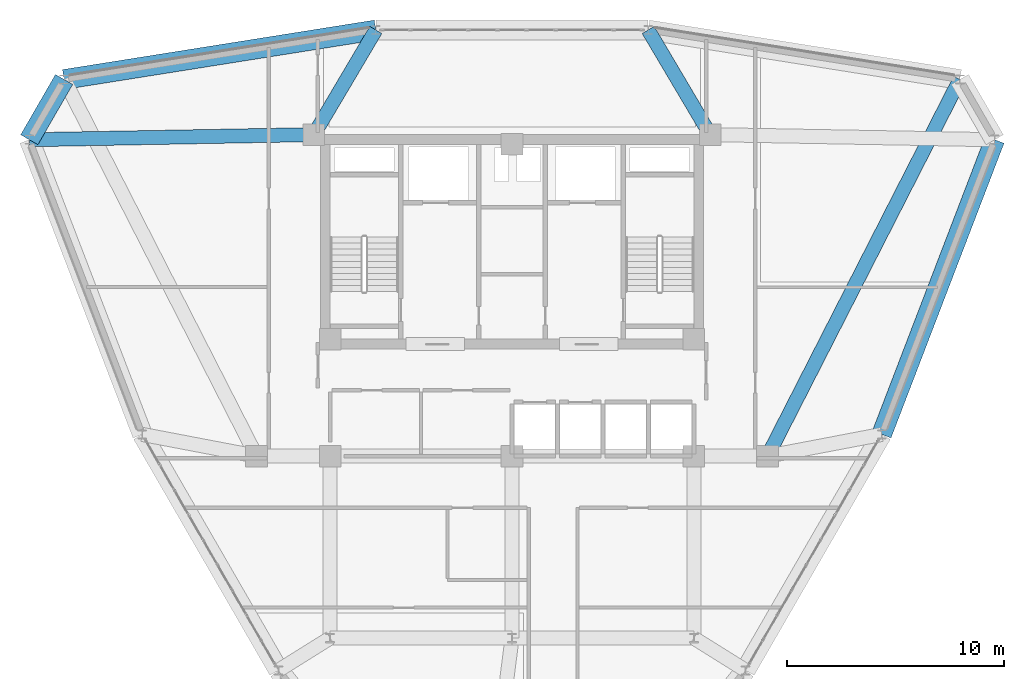
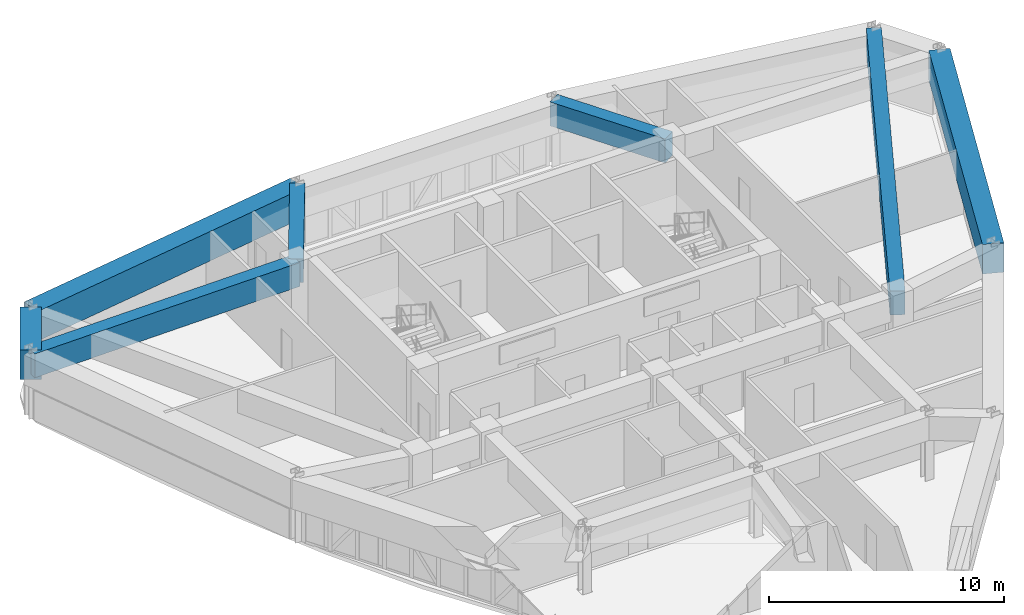
# One storey, part 7 of 13: 7 beams.
"""IFC4 building model written with IfcOpenShell, lengths in metres."""

import ifcopenshell
import ifcopenshell.guid

model = None  # the IFC model being written
_history = None  # IfcOwnerHistory: only IFC2X3 demands one
_inside = {}  # id of a spatial element -> (the spatial element, [elements in it])
_under = {}  # id of a project, library or spatial element -> (it, [spatial elements below it])
_declared = {}  # id of a project -> (the project, [libraries it declares])
_typed = {}  # id of a type object -> (the type object, [elements of that type])
_made_of = {}  # id of a material, layer set ... -> (it, [elements and type objects made of it])


def new_model(schema):
    """Start an empty IFC model of exactly this schema.

    Asked for "IFC4X3", IfcOpenShell would pick the latest addendum, in which some entities
    have other attributes; the version numbers below select the first issue.
    IFC2X3 requires an IfcOwnerHistory on every rooted entity: one is made here for all.
    """
    global model, _history
    if schema == "IFC4X3":
        model = ifcopenshell.file(schema_version=(4, 3, 0, 0))
    else:
        model = ifcopenshell.file(schema=schema)
    _inside.clear()
    _under.clear()
    _declared.clear()
    _typed.clear()
    _made_of.clear()
    _history = None
    if model.schema == "IFC2X3":
        org = make("IfcOrganization", Name="unknown")
        user = make(
            "IfcPersonAndOrganization",
            ThePerson=make("IfcPerson", FamilyName="unknown"),
            TheOrganization=org,
        )
        app = make(
            "IfcApplication",
            ApplicationDeveloper=org,
            Version="unknown",
            ApplicationFullName="unknown",
            ApplicationIdentifier="unknown",
        )
        _history = make(
            "IfcOwnerHistory",
            OwningUser=user,
            OwningApplication=app,
            ChangeAction="ADDED",
            CreationDate=0,
        )
    return model


def make(cls, **values):
    """One entity of the class cls with the attributes given. An attribute that is None is left unset."""
    return model.create_entity(
        cls, **{name: value for name, value in values.items() if value is not None}
    )


def rooted(cls, **values):
    """An entity with a GlobalId (a new one), such as an element, a storey or a relation."""
    return make(cls, GlobalId=ifcopenshell.guid.new(), OwnerHistory=_history, **values)


def si_unit(unit_type, name, prefix=None):
    """IfcSIUnit, for example si_unit("LENGTHUNIT", "METRE", prefix="MILLI")."""
    return make("IfcSIUnit", UnitType=unit_type, Prefix=prefix, Name=name)


def derived_unit(unit_type, elements):
    """IfcDerivedUnit: a product of units, each with its exponent."""
    return make(
        "IfcDerivedUnit",
        Elements=[
            make("IfcDerivedUnitElement", Unit=unit, Exponent=power)
            for unit, power in elements
        ],
        UnitType=unit_type,
    )


def assignment(units):
    """IfcUnitAssignment: the units of a project."""
    return None if units is None else make("IfcUnitAssignment", Units=units)


def point(xyz):
    """IfcCartesianPoint."""
    return None if xyz is None else make("IfcCartesianPoint", Coordinates=xyz)


def direction(xyz):
    """IfcDirection."""
    return None if xyz is None else make("IfcDirection", DirectionRatios=xyz)


def frame(location, z_axis=None, x_axis=None):
    """IfcAxis2Placement3D, a coordinate frame: its origin and axes. An axis left out is left unset."""
    return make(
        "IfcAxis2Placement3D",
        Location=point(location),
        Axis=direction(z_axis),
        RefDirection=direction(x_axis),
    )


def frame_2d(location, x_axis=None):
    """IfcAxis2Placement2D, a coordinate frame in the plane: its origin and x axis."""
    return make(
        "IfcAxis2Placement2D", Location=point(location), RefDirection=direction(x_axis)
    )


def origin():
    """The frame at (0, 0, 0) with its axes left unset."""
    return frame((0.0, 0.0, 0.0))


def origin_2d():
    """The frame at (0, 0) in the plane with its x axis left unset."""
    return frame_2d((0.0, 0.0))


def place(relative_to, where):
    """IfcLocalPlacement: puts the frame where relative to a parent placement (None: the world)."""
    return make(
        "IfcLocalPlacement", PlacementRelTo=relative_to, RelativePlacement=where
    )


def context(
    kind, dimensions, precision=None, world=None, true_north=None, identifier=None
):
    """IfcGeometricRepresentationContext, for example the 3D "Model" context."""
    return make(
        "IfcGeometricRepresentationContext",
        ContextIdentifier=identifier,
        ContextType=kind,
        CoordinateSpaceDimension=dimensions,
        Precision=precision,
        WorldCoordinateSystem=world,
        TrueNorth=true_north,
    )


def subcontext(parent, identifier, kind, view, scale=None):
    """IfcGeometricRepresentationSubContext, for example "Body" below "Model"."""
    return make(
        "IfcGeometricRepresentationSubContext",
        ContextIdentifier=identifier,
        ContextType=kind,
        ParentContext=parent,
        TargetScale=scale,
        TargetView=view,
    )


def project(units=None, contexts=None):
    """IfcProject with its units and contexts."""
    return rooted(
        "IfcProject",
        Name="project",
        RepresentationContexts=contexts,
        UnitsInContext=assignment(units),
    )


def spatial(cls, under=None, at=None, **own):
    """A site, building, storey or space (cls), placed at a placement, below another one or the project."""
    s = rooted(cls, ObjectPlacement=at, **own)
    if under is not None:
        _under.setdefault(under.id(), (under, []))[1].append(s)
    return s


def profile(cls, at=None, kind="AREA", **sizes):
    """A parametric profile (cls). Its sizes go by their IFC names, for example OverallWidth=200.0."""
    return make(cls, ProfileType=kind, Position=at, **sizes)


def rectangle(**sizes):
    """IfcRectangleProfileDef."""
    return profile("IfcRectangleProfileDef", **sizes)


def extrude(swept, where, along, depth):
    """IfcExtrudedAreaSolid: the profile swept, set in the frame where, extruded along a direction by depth."""
    return make(
        "IfcExtrudedAreaSolid",
        SweptArea=swept,
        Position=where,
        ExtrudedDirection=direction(along),
        Depth=depth,
    )


def shape(context_of_items, identifier, shape_type, items):
    """IfcShapeRepresentation: the items that make up one representation, for example the "Body"."""
    return make(
        "IfcShapeRepresentation",
        ContextOfItems=context_of_items,
        RepresentationIdentifier=identifier,
        RepresentationType=shape_type,
        Items=items,
    )


def source(mapping_origin, context_of_items, identifier, shape_type, items):
    """IfcRepresentationMap: a shape defined once, which mapped items show again and again."""
    return make(
        "IfcRepresentationMap",
        MappingOrigin=mapping_origin,
        MappedRepresentation=shape(context_of_items, identifier, shape_type, items),
    )


def transform(
    local_origin,
    x_axis=None,
    y_axis=None,
    z_axis=None,
    scale=None,
    scale2=None,
    scale3=None,
    uniform=True,
):
    """IfcCartesianTransformationOperator3D, or its non-uniform kind. x_axis, y_axis, z_axis: its Axis1, 2, 3."""
    if uniform:
        return make(
            "IfcCartesianTransformationOperator3D",
            Axis1=direction(x_axis),
            Axis2=direction(y_axis),
            LocalOrigin=point(local_origin),
            Scale=scale,
            Axis3=direction(z_axis),
        )
    return make(
        "IfcCartesianTransformationOperator3DnonUniform",
        Axis1=direction(x_axis),
        Axis2=direction(y_axis),
        LocalOrigin=point(local_origin),
        Scale=scale,
        Axis3=direction(z_axis),
        Scale2=scale2,
        Scale3=scale3,
    )


def mapped(mapping_source, mapping_target):
    """IfcMappedItem: shows the shape of a source again, moved by a transform."""
    return make(
        "IfcMappedItem", MappingSource=mapping_source, MappingTarget=mapping_target
    )


def material(Name=None, Category=None):
    """IfcMaterial."""
    return make("IfcMaterial", Name=Name, Category=Category)


def material_profile(
    of_material, cross_section, Name=None, Category=None, Priority=None
):
    """IfcMaterialProfile: a cross section and its material."""
    return make(
        "IfcMaterialProfile",
        Name=Name,
        Material=of_material,
        Profile=cross_section,
        Priority=Priority,
        Category=Category,
    )


def profile_set(profiles, Name=None, composite=None):
    """IfcMaterialProfileSet."""
    return make(
        "IfcMaterialProfileSet",
        Name=Name,
        MaterialProfiles=profiles,
        CompositeProfile=composite,
    )


def made_of(thing, what):
    """Note that an element or type object is made of a material, layer set ...; save() writes the relation."""
    if what is not None:
        _made_of.setdefault(what.id(), (what, []))[1].append(thing)
    return thing


def type_object(cls, material=None, **own):
    """A type object (cls), such as IfcWallType, which elements share."""
    return made_of(rooted(cls, **own), material)


def element(
    cls,
    number,
    at=None,
    inside=None,
    cuts=None,
    type_object=None,
    material=None,
    context=None,
    identifier="Body",
    shape_type=None,
    held_by="IfcProductDefinitionShape",
    body=None,
    shapes=None,
    **own,
):
    """One element of the class cls, such as IfcWall. Its Tag is "e" and its number.

    at: its placement. inside: the storey or other place that contains it. cuts: it is an
    opening in that element (IfcRelVoidsElement). A single representation is given by context,
    identifier, shape_type and body (its items); several are given by shapes. held_by: the class
    of the entity that holds the representations. save() writes the other relations.
    """
    e = rooted(cls, Tag="e%d" % number, ObjectPlacement=at, **own)
    if body is not None:
        shapes = [shape(context, identifier, shape_type, body)]
    if shapes is not None:
        e.Representation = make(held_by, Representations=shapes)
    if inside is not None:
        _inside.setdefault(inside.id(), (inside, []))[1].append(e)
    if cuts is not None:
        rooted(
            "IfcRelVoidsElement", RelatingBuildingElement=cuts, RelatedOpeningElement=e
        )
    if type_object is not None:
        _typed.setdefault(type_object.id(), (type_object, []))[1].append(e)
    return made_of(e, material)


def aggregate(whole, parts):
    """IfcRelAggregates: a whole, such as a stair, and the parts it consists of."""
    return rooted("IfcRelAggregates", RelatingObject=whole, RelatedObjects=parts)


def save(model, path):
    """Write the relations noted so far, then the file.

    IfcRelAggregates (storeys below a building ...), IfcRelContainedInSpatialStructure (elements
    in a storey), IfcRelDefinesByType, IfcRelAssociatesMaterial and IfcRelDeclares: one each for
    every whole, place, type object, material and project.
    """
    for whole, parts in _under.values():
        aggregate(whole, parts)
    for where, things in _inside.values():
        rooted(
            "IfcRelContainedInSpatialStructure",
            RelatedElements=things,
            RelatingStructure=where,
        )
    for kind, things in _typed.values():
        rooted("IfcRelDefinesByType", RelatedObjects=things, RelatingType=kind)
    for what, things in _made_of.values():
        rooted("IfcRelAssociatesMaterial", RelatedObjects=things, RelatingMaterial=what)
    for by, libraries in _declared.values():
        rooted("IfcRelDeclares", RelatingContext=by, RelatedDefinitions=libraries)
    model.write(path)


model = new_model("IFC4")

# Units and contexts
model_context = context("Model", 3, precision=1e-05, world=origin(), true_north=direction((0.0, 1.0)))
body_context = subcontext(model_context, "Body", "Model", "MODEL_VIEW")
ifc_project = project(units=[si_unit("LENGTHUNIT", "METRE"), si_unit("AREAUNIT", "SQUARE_METRE"), si_unit("VOLUMEUNIT", "CUBIC_METRE"), si_unit("PLANEANGLEUNIT", "RADIAN"), si_unit("MASSUNIT", "GRAM", prefix="KILO"), derived_unit("THERMALTRANSMITTANCEUNIT", [(si_unit("POWERUNIT", "WATT"), 1), (si_unit("LENGTHUNIT", "METRE"), -2), (si_unit("THERMODYNAMICTEMPERATUREUNIT", "KELVIN"), -1)])], contexts=[model_context])

# Site, building, storey
site_placement = place(None, origin())
site = spatial("IfcSite", under=ifc_project, at=site_placement, CompositionType="ELEMENT")
building_placement = place(site_placement, origin())
building = spatial("IfcBuilding", under=site, at=building_placement, Name="Korsvarv Bourse and Concert Hall", CompositionType="ELEMENT")
storey_placement = place(building_placement, frame((0.0, 0.0, 183.0)))
storey = spatial("IfcBuildingStorey", under=building, at=storey_placement, Name="L47", CompositionType="ELEMENT", Elevation=183.0)

# Beams
ifc_material = material(Name="Concrete C50/60", Category="concrete")
ifc_material_profile_1 = material_profile(ifc_material, rectangle(XDim=0.919921875, YDim=1.530029296875, at=origin_2d()), Name="RC-BM 920x1530")
ifc_profile_set_1 = profile_set([ifc_material_profile_1], Name="Concrete C50/60")
beam_type_1 = type_object("IfcBeamType", Name="BM-TR-154", PredefinedType="BEAM", material=ifc_profile_set_1)
shared_shape_1 = source(origin(), body_context, "Body", "SweptSolid", [
    extrude(rectangle(XDim=0.919921875, YDim=1.530029296875, at=origin_2d()), origin(), (0.0, 0.0, 1.0), 3.21533203125),
])
beam_1_placement = place(storey_placement, frame((15.3173828125, 49.797607421875, 2.635009765625), z_axis=(-0.49998535512, -0.866033858845, 0.0), x_axis=(0.866033858845, -0.49998535512, 0.0)))
element("IfcBeam", 1, at=beam_1_placement, inside=storey, type_object=beam_type_1, Name="L47 beam B-TR6", PredefinedType="BEAM", context=body_context, shape_type="MappedRepresentation", body=[
    mapped(shared_shape_1, transform((0.0, 0.0, 0.0), scale=1.0)),
])
shared_shape_2 = source(origin(), body_context, "Body", "SweptSolid", [
    extrude(rectangle(XDim=0.919921875, YDim=1.530029296875, at=origin_2d()), origin(), (0.0, 0.0, 1.0), 14.573486328125),
])
for number, where, z_axis, x_axis, name in (
    (2, (29.710693359375, 52.082275390625, 2.635009765625), (-0.987635363781, -0.156768581702, 0.0), (0.156768581702, -0.987635363781, 0.0), "L47 beam B-TR6"),
    (3, (53.072509765625, 33.405517578125, 2.635009765625), (0.358031436139, 0.933709532315, 0.0), (-0.933709532315, 0.358031436139, 0.0), "L47 beam B-TR6"),
):
    element("IfcBeam", number, at=place(storey_placement, frame(where, z_axis=z_axis, x_axis=x_axis)), inside=storey, type_object=beam_type_1, Name=name, PredefinedType="BEAM", context=body_context, shape_type="MappedRepresentation", body=[
        mapped(shared_shape_2, transform((0.0, 0.0, 0.0), scale=1.0)),
    ])
ifc_material_profile_2 = material_profile(ifc_material, rectangle(XDim=0.64990234375, YDim=1.239990234375, at=origin_2d()), Name="RC-BM 650x1240")
ifc_profile_set_2 = profile_set([ifc_material_profile_2], Name="Concrete C50/60")
beam_type_2 = type_object("IfcBeamType", Name="BM-TR-SPN", PredefinedType="BEAM", material=ifc_profile_set_2)
shared_shape_3 = source(origin(), body_context, "Body", "SweptSolid", [
    extrude(rectangle(XDim=0.64990234375, YDim=1.239990234375, at=origin_2d()), origin(), (0.0, 0.0, 1.0), 13.142578125),
])
beam_2_placement = place(storey_placement, frame((13.709716796875, 47.012939453125, 2.780029296875), z_axis=(0.999837307824, 0.01803767954, 0.0), x_axis=(-0.01803767954, 0.999837307824, 0.0)))
element("IfcBeam", 4, at=beam_2_placement, inside=storey, type_object=beam_type_2, Name="L47 beam B-TRS", PredefinedType="BEAM", context=body_context, shape_type="MappedRepresentation", body=[
    mapped(shared_shape_3, transform((0.0, 0.0, 0.0), scale=1.0)),
])
shared_shape_4 = source(origin(), body_context, "Body", "SweptSolid", [
    extrude(rectangle(XDim=0.64990234375, YDim=1.239990234375, at=origin_2d()), origin(), (0.0, 0.0, 1.0), 19.5341796875),
])
beam_3_placement = place(storey_placement, frame((56.6826171875, 49.797607421875, 2.780029296875), z_axis=(-0.454721683444, -0.890633589421, 0.0), x_axis=(0.890633589421, -0.454721683444, 0.0)))
element("IfcBeam", 5, at=beam_3_placement, inside=storey, type_object=beam_type_2, Name="L47 beam B-TRS", PredefinedType="BEAM", context=body_context, shape_type="MappedRepresentation", body=[
    mapped(shared_shape_4, transform((0.0, 0.0, 0.0), scale=1.0)),
])
shared_shape_5 = source(origin(), body_context, "Body", "SweptSolid", [
    extrude(rectangle(XDim=0.64990234375, YDim=1.239990234375, at=origin_2d()), origin(), (0.0, 0.0, 1.0), 5.615478515625),
])
for number, where, z_axis, x_axis, name in (
    (6, (42.289306640625, 52.082275390625, 2.780029296875), (0.509410257358, -0.860523787991, 0.0), (0.860523787991, 0.509410257358, 0.0), "L47 beam B-TRS"),
    (7, (29.710693359375, 52.082275390625, 2.780029296875), (-0.509410257358, -0.860523787991, 0.0), (0.860523787991, -0.509410257358, 0.0), "L47 beam B-TRS"),
):
    element("IfcBeam", number, at=place(storey_placement, frame(where, z_axis=z_axis, x_axis=x_axis)), inside=storey, type_object=beam_type_2, Name=name, PredefinedType="BEAM", context=body_context, shape_type="MappedRepresentation", body=[
        mapped(shared_shape_5, transform((0.0, 0.0, 0.0), scale=1.0)),
    ])

save(model, "model.ifc")
